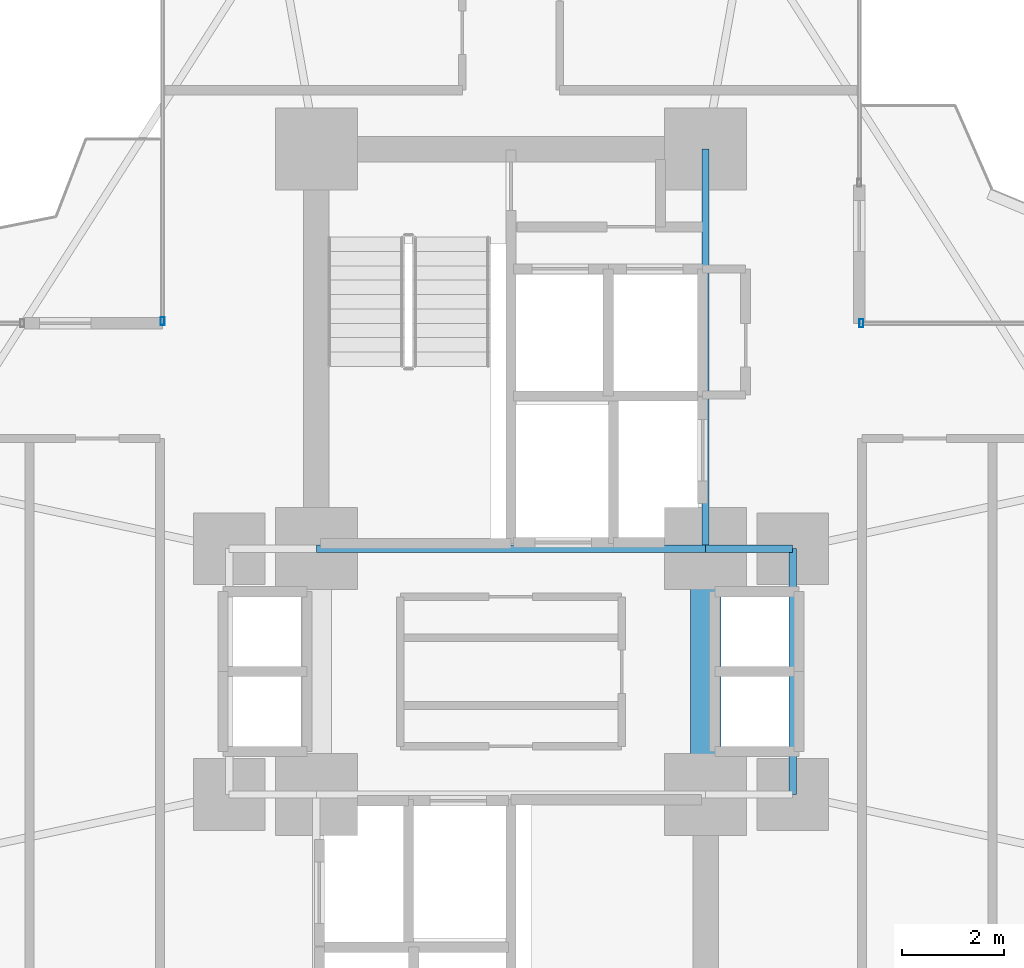
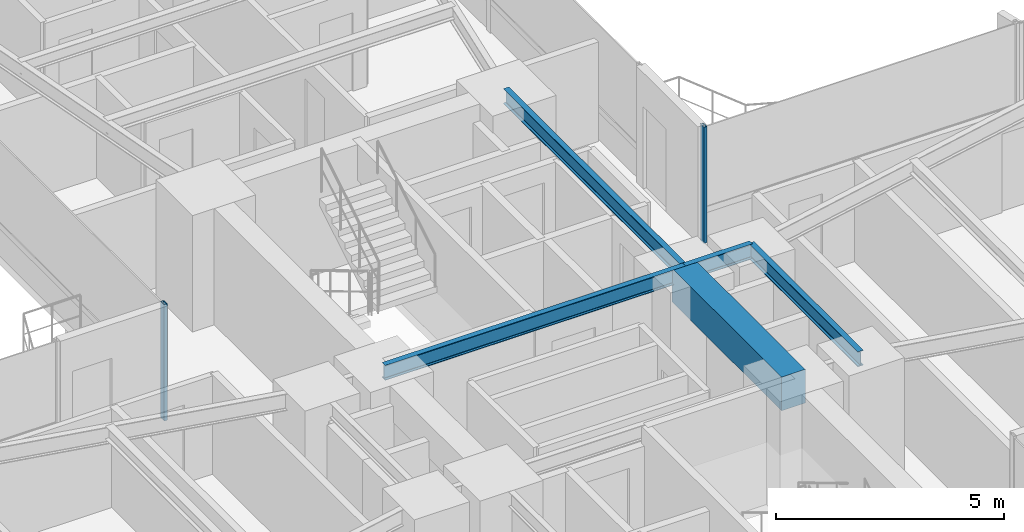
# One storey, part 12 of 25: 5 beams, 2 members, 2 elements without a shape of their own.
"""IFC4 building model written with IfcOpenShell, lengths in metres."""

from ifc_helpers import new_model, si_unit, direction, frame, origin, origin_2d, place, context, subcontext, project, spatial, rectangle, hollow_rectangle, i_section, extrude, source, transform, mapped, material, material_profile, profile_set, type_object, element, aggregate, save


model = new_model("IFC4")

# Units and contexts
model_context = context("Model", 3, precision=1e-05, world=origin(), true_north=direction((0.0, 1.0)))
body_context = subcontext(model_context, "Body", "Model", "MODEL_VIEW")
ifc_project = project(units=[si_unit("LENGTHUNIT", "METRE"), si_unit("AREAUNIT", "SQUARE_METRE"), si_unit("VOLUMEUNIT", "CUBIC_METRE"), si_unit("PLANEANGLEUNIT", "RADIAN"), si_unit("MASSUNIT", "GRAM", prefix="KILO")], contexts=[model_context])

# Site, building, storey
site_placement = place(None, origin())
site = spatial("IfcSite", under=ifc_project, at=site_placement, CompositionType="ELEMENT")
building_placement = place(site_placement, origin())
building = spatial("IfcBuilding", under=site, at=building_placement, Name="Sahyath Konkavel Grand Hotel", CompositionType="ELEMENT")
storey_placement = place(building_placement, frame((0.0, 0.0, 36.5)))
storey = spatial("IfcBuildingStorey", under=building, at=storey_placement, Name="L09", CompositionType="ELEMENT", Elevation=36.5)

# Beams
ifc_material_1 = material(Name="Concrete C70/85", Category="concrete")
ifc_material_profile_1 = material_profile(ifc_material_1, rectangle(XDim=0.60009765625, YDim=0.89990234375, at=origin_2d()), Name="RC 600x900")
ifc_profile_set_1 = profile_set([ifc_material_profile_1], Name="Concrete C70/85")
beam_type_1 = type_object("IfcBeamType", Name="BM-CB600x900", PredefinedType="LINTEL", material=ifc_profile_set_1)
shared_shape_1 = source(origin(), body_context, "Body", "SweptSolid", [
    extrude(rectangle(XDim=0.60009765625, YDim=0.89990234375, at=origin_2d()), origin(), (0.0, 0.0, 1.0), 4.7998046875),
])
beam_1_placement = place(storey_placement, frame((3.800048828125, -2.39990234375, 2.659912109375), z_axis=(0.0, 1.0, 0.0), x_axis=(-1.0, 0.0, 0.0)))
element("IfcBeam", 1, at=beam_1_placement, inside=storey, type_object=beam_type_1, Name="L09 Split-Core Coupling Beam East", PredefinedType="LINTEL", context=body_context, shape_type="MappedRepresentation", body=[
    mapped(shared_shape_1, transform((0.0, 0.0, 0.0), scale=1.0)),
])
ifc_material_2 = material(Name="Steel E350", Category="steel")
ifc_material_profile_2 = material_profile(ifc_material_2, i_section(OverallWidth=0.139892578125, OverallDepth=0.39990234375, WebThickness=0.0087890625, FlangeThickness=0.01611328125, FilletRadius=0.013916015625, at=origin_2d()), Name="ISMB 400")
ifc_profile_set_2 = profile_set([ifc_material_profile_2], Name="Steel E350")
beam_type_2 = type_object("IfcBeamType", Name="BM-ISMB400", PredefinedType="BEAM", material=ifc_profile_set_2)
shared_shape_2 = source(origin(), body_context, "Body", "SweptSolid", [
    extrude(i_section(OverallWidth=0.139892578125, OverallDepth=0.39990234375, WebThickness=0.0087890625, FlangeThickness=0.01611328125, FilletRadius=0.013916015625, at=origin_2d()), origin(), (0.0, 0.0, 1.0), 7.60009765625),
])
beam_2_placement = place(storey_placement, frame((-3.800048828125, 2.39990234375, 2.909912109375), z_axis=(1.0, 0.0, 0.0), x_axis=(0.0, 1.0, 0.0)))
element("IfcBeam", 2, at=beam_2_placement, inside=storey, type_object=beam_type_2, Name="str:bm:L09:NC-S", PredefinedType="BEAM", context=body_context, shape_type="MappedRepresentation", body=[
    mapped(shared_shape_2, transform((0.0, 0.0, 0.0), scale=1.0)),
])
shared_shape_3 = source(origin(), body_context, "Body", "SweptSolid", [
    extrude(i_section(OverallWidth=0.139892578125, OverallDepth=0.39990234375, WebThickness=0.0087890625, FlangeThickness=0.01611328125, FilletRadius=0.013916015625, at=origin_2d()), origin(), (0.0, 0.0, 1.0), 7.800048828125),
])
beam_3_placement = place(storey_placement, frame((3.800048828125, 2.39990234375, 2.909912109375), z_axis=(0.0, 1.0, 0.0), x_axis=(-1.0, 0.0, 0.0)))
element("IfcBeam", 3, at=beam_3_placement, inside=storey, type_object=beam_type_2, Name="str:bm:L09:NC-E", PredefinedType="BEAM", context=body_context, shape_type="MappedRepresentation", body=[
    mapped(shared_shape_3, transform((0.0, 0.0, 0.0), scale=1.0)),
])
shared_shape_4 = source(origin(), body_context, "Body", "SweptSolid", [
    extrude(i_section(OverallWidth=0.139892578125, OverallDepth=0.39990234375, WebThickness=0.0087890625, FlangeThickness=0.01611328125, FilletRadius=0.013916015625, at=origin_2d()), origin(), (0.0, 0.0, 1.0), 1.699951171875),
])
beam_4_placement = place(storey_placement, frame((3.800048828125, 2.39990234375, 2.909912109375), z_axis=(1.0, 0.0, 0.0), x_axis=(0.0, 1.0, 0.0)))
element("IfcBeam", 4, at=beam_4_placement, inside=storey, type_object=beam_type_2, Name="str:bm:L09:HB-NE", PredefinedType="BEAM", context=body_context, shape_type="MappedRepresentation", body=[
    mapped(shared_shape_4, transform((0.0, 0.0, 0.0), scale=1.0)),
])
shared_shape_5 = source(origin(), body_context, "Body", "SweptSolid", [
    extrude(i_section(OverallWidth=0.139892578125, OverallDepth=0.39990234375, WebThickness=0.0087890625, FlangeThickness=0.01611328125, FilletRadius=0.013916015625, at=origin_2d()), origin(), (0.0, 0.0, 1.0), 4.7998046875),
])
beam_5_placement = place(storey_placement, frame((5.5, -2.39990234375, 2.909912109375), z_axis=(0.0, 1.0, 0.0), x_axis=(-1.0, 0.0, 0.0)))
element("IfcBeam", 5, at=beam_5_placement, inside=storey, type_object=beam_type_2, Name="str:bm:L09:HB-E", PredefinedType="BEAM", context=body_context, shape_type="MappedRepresentation", body=[
    mapped(shared_shape_5, transform((0.0, 0.0, 0.0), scale=1.0)),
])

# Curtain wall, member
ifc_material_3 = material(Name="Anodised Bronze Aluminium & Low-E Glazing", Category="aluminium")
curtain_wall_type = type_object("IfcCurtainWallType", Name="CW-ZONE1", PredefinedType="NOTDEFINED", material=ifc_material_3)
curtain_wall_1_placement = place(storey_placement, origin())
curtain_wall_1 = element("IfcCurtainWall", 6, at=curtain_wall_1_placement, inside=storey, type_object=curtain_wall_type, Name="L09 Unitised Curtain Wall F7", PredefinedType="NOTDEFINED")
ifc_material_4 = material(Name="Anodised Bronze Aluminium", Category="aluminium")
ifc_material_profile_3 = material_profile(ifc_material_4, hollow_rectangle(XDim=0.080078125, YDim=0.159912109375, WallThickness=0.006103515625, at=origin_2d()), Name="RHS 160x80x6")
ifc_profile_set_3 = profile_set([ifc_material_profile_3], Name="Anodised Bronze Aluminium")
member_type = type_object("IfcMemberType", Name="CW-MUL-160", PredefinedType="MULLION", material=ifc_profile_set_3)
shared_shape_6 = source(origin(), body_context, "Body", "SweptSolid", [
    extrude(hollow_rectangle(XDim=0.080078125, YDim=0.159912109375, WallThickness=0.006103515625, at=origin_2d()), origin(), (0.0, 0.0, 1.0), 3.110107421875),
])
member_1_placement = place(storey_placement, frame((6.840087890625, 6.800048828125, 0.0), z_axis=(0.0, 0.0, 1.0), x_axis=(1.0, 0.0, 0.0)))
member_1 = element("IfcMember", 7, at=member_1_placement, type_object=member_type, Name="L09 Curtain Wall Mullion F7-2", PredefinedType="MULLION", context=body_context, shape_type="MappedRepresentation", body=[
    mapped(shared_shape_6, transform((0.0, 0.0, 0.0), scale=1.0)),
])
aggregate(curtain_wall_1, [member_1])

curtain_wall_2_placement = place(storey_placement, origin())
curtain_wall_2 = element("IfcCurtainWall", 8, at=curtain_wall_2_placement, inside=storey, type_object=curtain_wall_type, Name="L09 Unitised Curtain Wall F15", PredefinedType="NOTDEFINED")
member_2_placement = place(storey_placement, frame((-6.800048828125, 6.840087890625, 0.0), z_axis=(0.0, 0.0, 1.0), x_axis=(1.0, 0.0, 0.0)))
member_2 = element("IfcMember", 9, at=member_2_placement, type_object=member_type, Name="L09 Curtain Wall Mullion F15-2", PredefinedType="MULLION", context=body_context, shape_type="MappedRepresentation", body=[
    mapped(shared_shape_6, transform((0.0, 0.0, 0.0), scale=1.0)),
])
aggregate(curtain_wall_2, [member_2])

save(model, "model.ifc")
